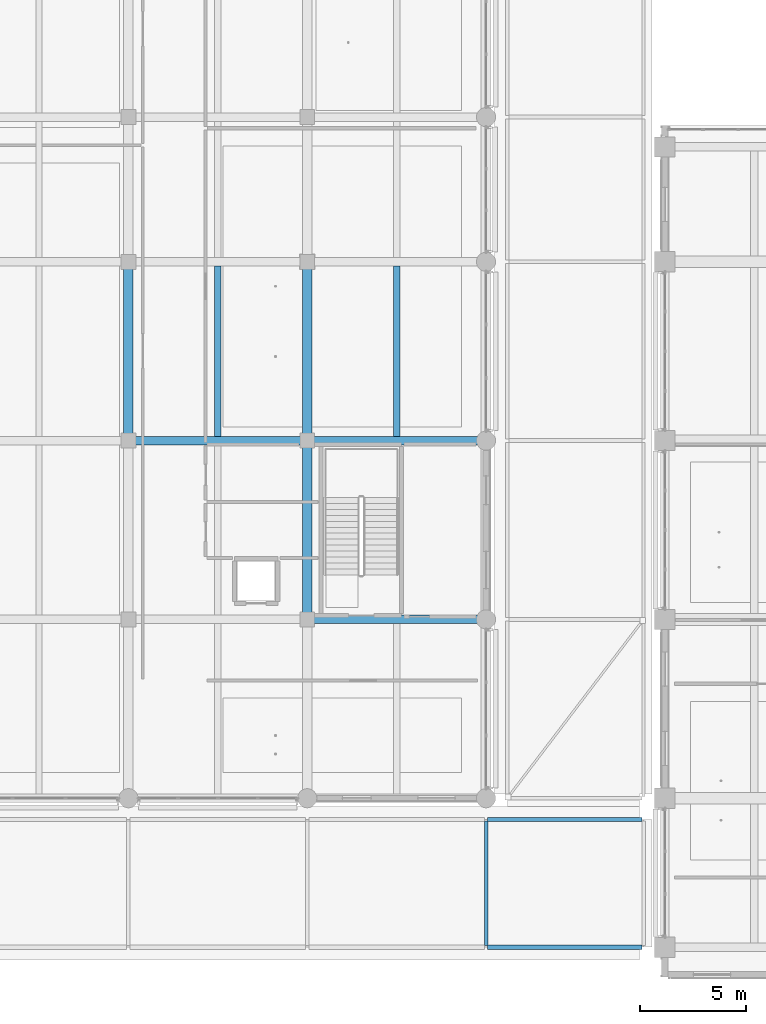
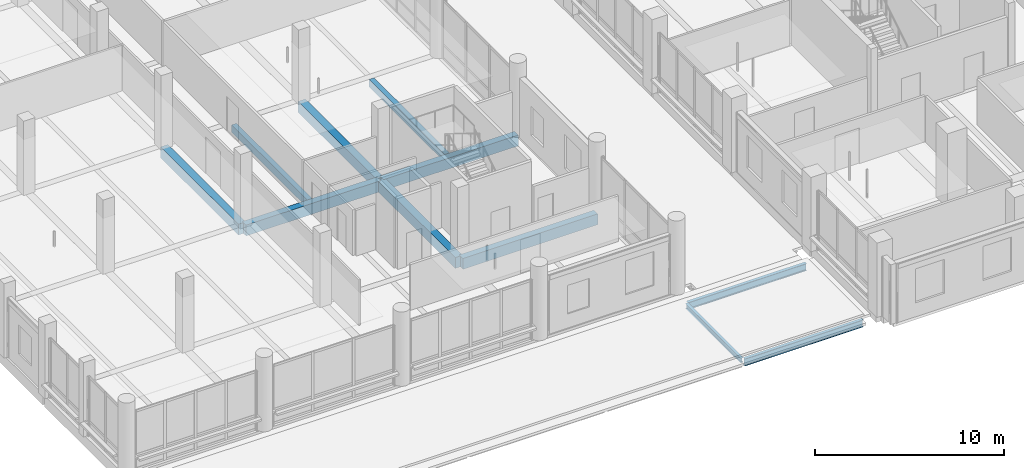
# One storey, part 7 of 128: 11 beams.
"""IFC4 building model written with IfcOpenShell, lengths in metres."""

from ifc_helpers import new_model, si_unit, direction, frame, origin, origin_2d, place, context, subcontext, project, spatial, rectangle, i_section, extrude, material, material_profile, profile_set, type_object, element, save


model = new_model("IFC4")

# Units and contexts
model_context = context("Model", 3, precision=1e-05, world=origin(), true_north=direction((0.0, 1.0)))
body_context = subcontext(model_context, "Body", "Model", "MODEL_VIEW")
ifc_project = project(units=[si_unit("LENGTHUNIT", "METRE"), si_unit("AREAUNIT", "SQUARE_METRE"), si_unit("VOLUMEUNIT", "CUBIC_METRE"), si_unit("PLANEANGLEUNIT", "RADIAN"), si_unit("MASSUNIT", "GRAM", prefix="KILO")], contexts=[model_context])

# Site, building, storey
site_placement = place(None, origin())
site = spatial("IfcSite", under=ifc_project, at=site_placement, CompositionType="ELEMENT")
building_placement = place(site_placement, origin())
building = spatial("IfcBuilding", under=site, at=building_placement, Name="Telukmera Botanical Conservatory", CompositionType="ELEMENT")
storey_placement = place(building_placement, frame((0.0, 0.0, 5.39990234375)))
storey = spatial("IfcBuildingStorey", under=building, at=storey_placement, Name="L01", CompositionType="ELEMENT", Elevation=5.39990234375)

# Beams
ifc_material_1 = material(Name="Concrete C40/50", Category="concrete")
ifc_material_profile_1 = material_profile(ifc_material_1, rectangle(XDim=0.449951171875, YDim=0.699951171875, at=origin_2d()), Name="RC 450x700")
ifc_profile_set_1 = profile_set([ifc_material_profile_1], Name="Concrete C40/50")
beam_type_1 = type_object("IfcBeamType", Name="Beam_B15", PredefinedType="BEAM", material=ifc_profile_set_1)
for number, where, z_axis, x_axis, name in (
    (1, (25.199951171875, 34.47998046875, -0.349853515625), (0.0, 1.0, 0.0), (-1.0, 0.0, 0.0), "Visitor Wing Transverse Beam L01"),
    (2, (33.60009765625, 26.080078125, -0.349853515625), (0.0, 1.0, 0.0), (-1.0, 0.0, 0.0), "Visitor Wing Transverse Beam L01"),
    (3, (33.60009765625, 34.47998046875, -0.349853515625), (0.0, 1.0, 0.0), (-1.0, 0.0, 0.0), "Visitor Wing Transverse Beam L01"),
):
    element("IfcBeam", number, at=place(storey_placement, frame(where, z_axis=z_axis, x_axis=x_axis)), inside=storey, type_object=beam_type_1, Name=name, PredefinedType="BEAM", context=body_context, shape_type="SweptSolid", body=[
        extrude(rectangle(XDim=0.449951171875, YDim=0.699951171875, at=origin_2d()), origin(), (0.0, 0.0, 1.0), 8.239990234375),
    ])
ifc_material_profile_2 = material_profile(ifc_material_1, rectangle(XDim=0.300048828125, YDim=0.5, at=origin_2d()), Name="RC 300x500")
ifc_profile_set_2 = profile_set([ifc_material_profile_2], Name="Concrete C40/50")
beam_type_2 = type_object("IfcBeamType", Name="Beam_B24", PredefinedType="JOIST", material=ifc_profile_set_2)
for number, where, z_axis, x_axis, name in (
    (4, (29.39990234375, 34.60009765625, -0.25), (0.0, 1.0, 0.0), (-1.0, 0.0, 0.0), "Visitor Wing Floor Joist L01"),
    (5, (37.800048828125, 34.60009765625, -0.25), (0.0, 1.0, 0.0), (-1.0, 0.0, 0.0), "Visitor Wing Floor Joist L01"),
):
    element("IfcBeam", number, at=place(storey_placement, frame(where, z_axis=z_axis, x_axis=x_axis)), inside=storey, type_object=beam_type_2, Name=name, PredefinedType="JOIST", context=body_context, shape_type="SweptSolid", body=[
        extrude(rectangle(XDim=0.300048828125, YDim=0.5, at=origin_2d()), origin(), (0.0, 0.0, 1.0), 8.0),
    ])
ifc_material_profile_3 = material_profile(ifc_material_1, rectangle(XDim=0.39990234375, YDim=0.699951171875, at=origin_2d()), Name="RC 400x700")
ifc_profile_set_3 = profile_set([ifc_material_profile_3], Name="Concrete C40/50")
beam_type_3 = type_object("IfcBeamType", Name="Beam_B7", PredefinedType="BEAM", material=ifc_profile_set_3)
for number, where, z_axis, x_axis, name in (
    (6, (33.679931640625, 26.0, -0.349853515625), (1.0, 0.0, 0.0), (0.0, 1.0, 0.0), "Visitor Wing Grid Beam L01"),
    (7, (25.280029296875, 34.39990234375, -0.349853515625), (1.0, 0.0, 0.0), (0.0, 1.0, 0.0), "Visitor Wing Grid Beam L01"),
    (8, (33.679931640625, 34.39990234375, -0.349853515625), (1.0, 0.0, 0.0), (0.0, 1.0, 0.0), "Visitor Wing Grid Beam L01"),
):
    element("IfcBeam", number, at=place(storey_placement, frame(where, z_axis=z_axis, x_axis=x_axis)), inside=storey, type_object=beam_type_3, Name=name, PredefinedType="BEAM", context=body_context, shape_type="SweptSolid", body=[
        extrude(rectangle(XDim=0.39990234375, YDim=0.699951171875, at=origin_2d()), origin(), (0.0, 0.0, 1.0), 8.239990234375),
    ])
ifc_material_2 = material(Name="Steel S355", Category="steel")
ifc_material_profile_4 = material_profile(ifc_material_2, i_section(OverallWidth=0.19140625, OverallDepth=0.4599609375, WebThickness=0.010009765625, FlangeThickness=0.01611328125, FilletRadius=0.01025390625, at=origin_2d()), Name="UB 457x191x82")
ifc_profile_set_4 = profile_set([ifc_material_profile_4], Name="Steel S355")
beam_type_4 = type_object("IfcBeamType", Name="Beam_SB3", PredefinedType="BEAM", material=ifc_profile_set_4)
for number, where, z_axis, x_axis, name in (
    (9, (42.080078125, 10.60009765625, -0.389892578125), (1.0, 0.0, 0.0), (0.0, 1.0, 0.0), "Canopy Steel Girder forecourt"),
    (10, (42.080078125, 16.60009765625, -0.389892578125), (1.0, 0.0, 0.0), (0.0, 1.0, 0.0), "Canopy Steel Girder forecourt"),
):
    element("IfcBeam", number, at=place(storey_placement, frame(where, z_axis=z_axis, x_axis=x_axis)), inside=storey, type_object=beam_type_4, Name=name, PredefinedType="BEAM", context=body_context, shape_type="SweptSolid", body=[
        extrude(i_section(OverallWidth=0.19140625, OverallDepth=0.4599609375, WebThickness=0.010009765625, FlangeThickness=0.01611328125, FilletRadius=0.01025390625, at=origin_2d()), origin(), (0.0, 0.0, 1.0), 7.239990234375),
    ])
ifc_material_profile_5 = material_profile(ifc_material_2, i_section(OverallWidth=0.165771484375, OverallDepth=0.306640625, WebThickness=0.006591796875, FlangeThickness=0.01171875, FilletRadius=0.0087890625, at=origin_2d()), Name="UB 305x165x46")
ifc_profile_set_5 = profile_set([ifc_material_profile_5], Name="Steel S355")
beam_type_5 = type_object("IfcBeamType", Name="Beam_SB6", PredefinedType="JOIST", material=ifc_profile_set_5)
beam_placement = place(storey_placement, frame((42.0, 10.679931640625, -0.313232421875), z_axis=(0.0, 1.0, 0.0), x_axis=(-1.0, 0.0, 0.0)))
element("IfcBeam", 11, at=beam_placement, inside=storey, type_object=beam_type_5, Name="Canopy Steel Purlin forecourt", PredefinedType="JOIST", context=body_context, shape_type="SweptSolid", body=[
    extrude(i_section(OverallWidth=0.165771484375, OverallDepth=0.306640625, WebThickness=0.006591796875, FlangeThickness=0.01171875, FilletRadius=0.0087890625, at=origin_2d()), origin(), (0.0, 0.0, 1.0), 5.840087890625),
])

save(model, "model.ifc")
